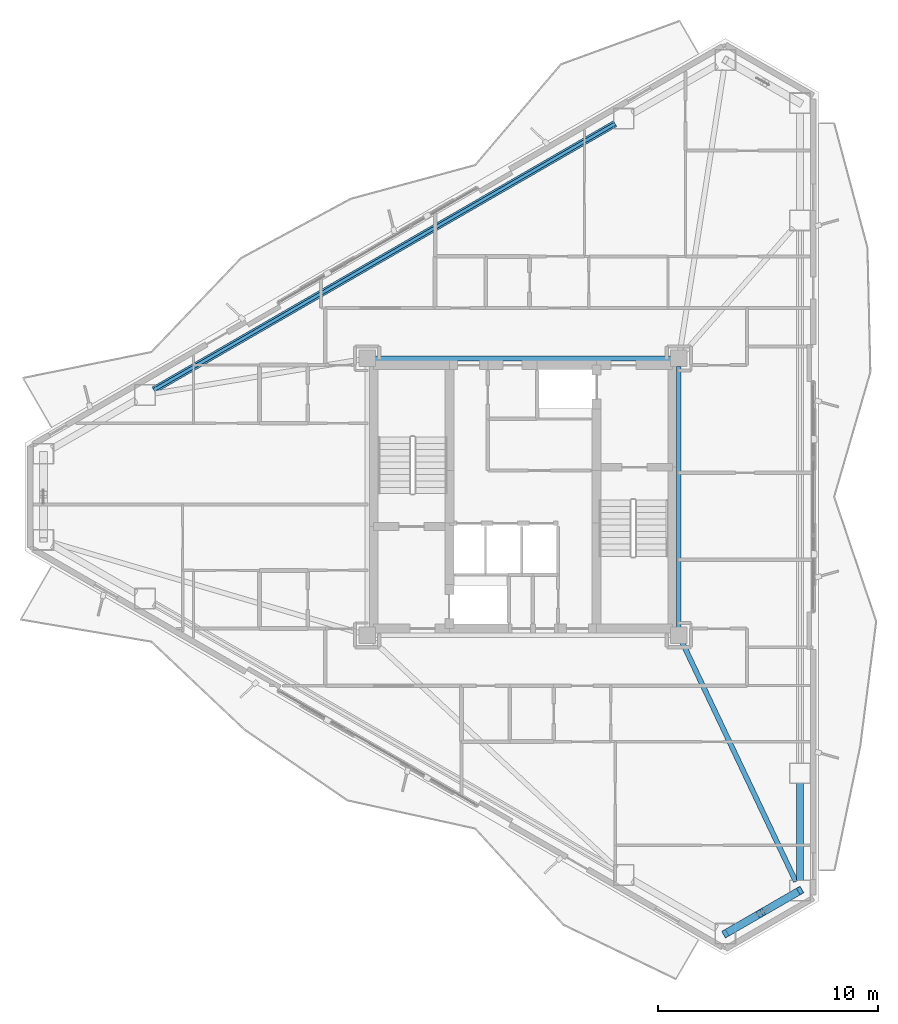
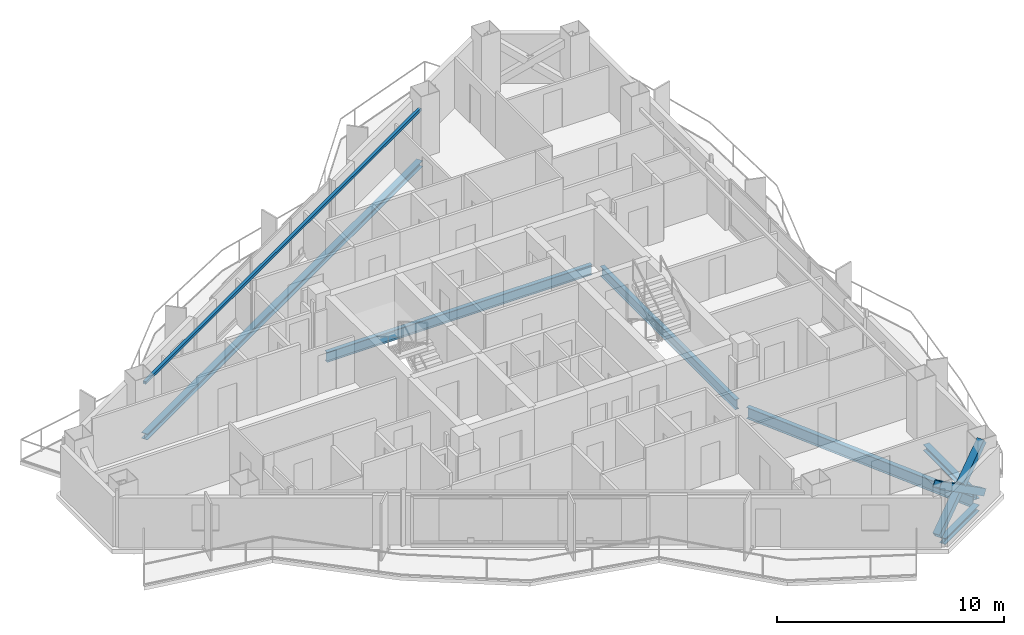
# One storey, part 6 of 19: 7 beams, 3 members.
"""IFC4 building model written with IfcOpenShell, lengths in metres."""

from ifc_helpers import new_model, si_unit, direction, frame, origin, origin_2d, place, context, subcontext, project, spatial, hollow_rectangle, i_section, extrude, material, material_profile, profile_set, type_object, element, save


model = new_model("IFC4")

# Units and contexts
model_context = context("Model", 3, precision=1e-05, world=origin(), true_north=direction((0.0, 1.0)))
body_context = subcontext(model_context, "Body", "Model", "MODEL_VIEW")
ifc_project = project(units=[si_unit("LENGTHUNIT", "METRE"), si_unit("AREAUNIT", "SQUARE_METRE"), si_unit("VOLUMEUNIT", "CUBIC_METRE"), si_unit("PLANEANGLEUNIT", "RADIAN"), si_unit("MASSUNIT", "GRAM", prefix="KILO")], contexts=[model_context])

# Site, building, storey
site_placement = place(None, origin())
site = spatial("IfcSite", under=ifc_project, at=site_placement, CompositionType="ELEMENT")
building_placement = place(site_placement, origin())
building = spatial("IfcBuilding", under=site, at=building_placement, Name="Mersakhor Tower and Convention Hall", CompositionType="ELEMENT")
storey_placement = place(building_placement, frame((0.0, 0.0, 127.800048828125)))
storey = spatial("IfcBuildingStorey", under=building, at=storey_placement, Name="L35", CompositionType="ELEMENT", Elevation=127.800048828125)

# Beams
ifc_material_1 = material(Name="Steel S355", Category="steel")
ifc_material_profile_1 = material_profile(ifc_material_1, i_section(OverallWidth=0.2099609375, OverallDepth=0.53662109375, WebThickness=0.0107421875, FlangeThickness=0.017333984375, at=origin_2d()), Name="UB 533x210x101")
ifc_profile_set_1 = profile_set([ifc_material_profile_1], Name="Steel S355")
beam_type_1 = type_object("IfcBeamType", Name="BM-FB-533", PredefinedType="BEAM", material=ifc_profile_set_1)
beam_1_placement = place(storey_placement, frame((22.2548828125, 33.050048828125, -0.50830078125), z_axis=(1.0, 0.0, 0.0), x_axis=(0.0, 1.0, 0.0)))
element("IfcBeam", 1, at=beam_1_placement, inside=storey, type_object=beam_type_1, Name="L35 Core Ring Tie Beam CRB-2", PredefinedType="BEAM", context=body_context, shape_type="SweptSolid", body=[
    extrude(i_section(OverallWidth=0.2099609375, OverallDepth=0.53662109375, WebThickness=0.0107421875, FlangeThickness=0.017333984375, at=origin_2d()), origin(), (0.0, 0.0, 1.0), 13.490234375),
])
beam_2_placement = place(storey_placement, frame((36.10009765625, 32.695068359375, -0.50830078125), z_axis=(0.0, -1.0, 0.0), x_axis=(1.0, 0.0, 0.0)))
element("IfcBeam", 2, at=beam_2_placement, inside=storey, type_object=beam_type_1, Name="L35 Core Ring Tie Beam CRB-3", PredefinedType="BEAM", context=body_context, shape_type="SweptSolid", body=[
    extrude(i_section(OverallWidth=0.2099609375, OverallDepth=0.53662109375, WebThickness=0.0107421875, FlangeThickness=0.017333984375, at=origin_2d()), origin(), (0.0, 0.0, 1.0), 11.89013671875),
])
ifc_material_2 = material(Name="Steel S355", Category="steel")
ifc_material_profile_2 = material_profile(ifc_material_2, hollow_rectangle(XDim=0.14990234375, YDim=0.14990234375, WallThickness=0.010009765625, at=origin_2d()), Name="SHS 150x150x10")
ifc_profile_set_2 = profile_set([ifc_material_profile_2], Name="Steel S355")
beam_type_2 = type_object("IfcBeamType", Name="BM-GRT-SHS150", PredefinedType="USERDEFINED", material=ifc_profile_set_2)
beam_3_placement = place(storey_placement, frame((12.182373046875, 31.61181640625, 2.47998046875), z_axis=(0.866027433267, 0.499996484816, 0.0), x_axis=(-0.499996484816, 0.866027433267, 0.0)))
element("IfcBeam", 3, at=beam_3_placement, inside=storey, type_object=beam_type_2, Name="L35 Facade Support Girt GRT-F1", ObjectType="GIRT", PredefinedType="USERDEFINED", context=body_context, shape_type="SweptSolid", body=[
    extrude(hollow_rectangle(XDim=0.14990234375, YDim=0.14990234375, WallThickness=0.010009765625, at=origin_2d()), origin(), (0.0, 0.0, 1.0), 24.267333984375),
])
ifc_material_3 = material(Name="Steel S355", Category="steel")
ifc_material_profile_3 = material_profile(ifc_material_3, i_section(OverallWidth=0.22900390625, OverallDepth=0.6123046875, WebThickness=0.011962890625, FlangeThickness=0.01953125, at=origin_2d()), Name="UB 610x229x125")
ifc_profile_set_3 = profile_set([ifc_material_profile_3], Name="Steel S355")
beam_type_3 = type_object("IfcBeamType", Name="BM-PR-610", PredefinedType="BEAM", material=ifc_profile_set_3)
beam_4_placement = place(storey_placement, frame((36.252197265625, 20.12939453125, -0.546142578125), z_axis=(0.428664675599, -0.903463666061, 0.0), x_axis=(0.903463666061, 0.428664675599, 0.0)))
element("IfcBeam", 4, at=beam_4_placement, inside=storey, type_object=beam_type_3, Name="L35 Primary Floor Girder FG-4", PredefinedType="BEAM", context=body_context, shape_type="SweptSolid", body=[
    extrude(i_section(OverallWidth=0.22900390625, OverallDepth=0.6123046875, WebThickness=0.011962890625, FlangeThickness=0.01953125, at=origin_2d()), origin(), (0.0, 0.0, 1.0), 12.065673828125),
])
ifc_material_4 = material(Name="Steel S355", Category="steel")
ifc_material_profile_4 = material_profile(ifc_material_4, i_section(OverallWidth=0.30908203125, OverallDepth=0.320556640625, WebThickness=0.013916015625, FlangeThickness=0.021728515625, at=origin_2d()), Name="UC 305x305x137")
ifc_profile_set_4 = profile_set([ifc_material_profile_4], Name="Steel S355")
beam_type_4 = type_object("IfcBeamType", Name="BM-SPD-UC305", PredefinedType="SPANDREL", material=ifc_profile_set_4)
beam_5_placement = place(storey_placement, frame((12.182373046875, 31.61181640625, -0.400390625), z_axis=(0.866027433267, 0.499996484816, 0.0), x_axis=(-0.499996484816, 0.866027433267, 0.0)))
element("IfcBeam", 5, at=beam_5_placement, inside=storey, type_object=beam_type_4, Name="L35 Perimeter Spandrel Beam SPB-02", PredefinedType="SPANDREL", context=body_context, shape_type="SweptSolid", body=[
    extrude(i_section(OverallWidth=0.30908203125, OverallDepth=0.320556640625, WebThickness=0.013916015625, FlangeThickness=0.021728515625, at=origin_2d()), origin(), (0.0, 0.0, 1.0), 24.267333984375),
])
beam_6_placement = place(storey_placement, frame((41.619140625, 13.706298828125, -0.400390625), z_axis=(0.0, -1.0, 0.0), x_axis=(1.0, 0.0, 0.0)))
element("IfcBeam", 6, at=beam_6_placement, inside=storey, type_object=beam_type_4, Name="L35 Perimeter Spandrel Beam SPB-07", PredefinedType="SPANDREL", context=body_context, shape_type="SweptSolid", body=[
    extrude(i_section(OverallWidth=0.30908203125, OverallDepth=0.320556640625, WebThickness=0.013916015625, FlangeThickness=0.021728515625, at=origin_2d()), origin(), (0.0, 0.0, 1.0), 4.433837890625),
])
beam_7_placement = place(storey_placement, frame((41.22509765625, 8.58984375, -0.400390625), z_axis=(-0.86604667077, -0.499963162692, 0.0), x_axis=(0.499963162692, -0.86604667077, 0.0)))
element("IfcBeam", 7, at=beam_7_placement, inside=storey, type_object=beam_type_4, Name="L35 Perimeter Spandrel Beam SPB-08", PredefinedType="SPANDREL", context=body_context, shape_type="SweptSolid", body=[
    extrude(i_section(OverallWidth=0.30908203125, OverallDepth=0.320556640625, WebThickness=0.013916015625, FlangeThickness=0.021728515625, at=origin_2d()), origin(), (0.0, 0.0, 1.0), 3.014404296875),
])

# Members
ifc_material_5 = material(Name="Steel S460", Category="steel")
ifc_material_profile_5 = material_profile(ifc_material_5, hollow_rectangle(XDim=0.35009765625, YDim=0.35009765625, WallThickness=0.02001953125, at=origin_2d()), Name="SHS 350x350x20")
ifc_profile_set_5 = profile_set([ifc_material_profile_5], Name="Steel S460")
member_type = type_object("IfcMemberType", Name="MB-BRC-SHS350", PredefinedType="BRACE", material=ifc_profile_set_5)
member_placement = place(storey_placement, frame((41.619140625, 8.8173828125, 0.14990234375), z_axis=(-0.70838533923, -0.408971551713, 0.575267312693), x_axis=(0.499986324622, -0.866033299124, 0.0)))
element("IfcMember", 8, at=member_placement, inside=storey, type_object=member_type, Name="L35 Chamfer Braced Frame Diagonal CB-2A", PredefinedType="BRACE", context=body_context, shape_type="SweptSolid", body=[
    extrude(hollow_rectangle(XDim=0.35009765625, YDim=0.35009765625, WallThickness=0.02001953125, at=origin_2d()), origin(), (0.0, 0.0, 1.0), 4.7978515625),
])
for number, where, z_axis, x_axis, name in (
    (9, (38.220458984375, 6.855224609375, 0.14990234375), (0.708364021879, 0.408986667212, 0.575282816143), (-0.500011469263, 0.866018781901, 0.0), "L35 Chamfer Braced Frame Diagonal CB-2B Lower Half"),
    (10, (40.05712890625, 7.91552734375, 1.6416015625), (0.708409139881, 0.409012716899, 0.575208734242), (-0.500011469263, 0.866018781901, 0.0), "L35 Chamfer Braced Frame Diagonal CB-2B Upper Half"),
):
    element("IfcMember", number, at=place(storey_placement, frame(where, z_axis=z_axis, x_axis=x_axis)), inside=storey, type_object=member_type, Name=name, PredefinedType="BRACE", context=body_context, shape_type="SweptSolid", body=[
        extrude(hollow_rectangle(XDim=0.35009765625, YDim=0.35009765625, WallThickness=0.02001953125, at=origin_2d()), origin(), (0.0, 0.0, 1.0), 2.205078125),
    ])

save(model, "model.ifc")
